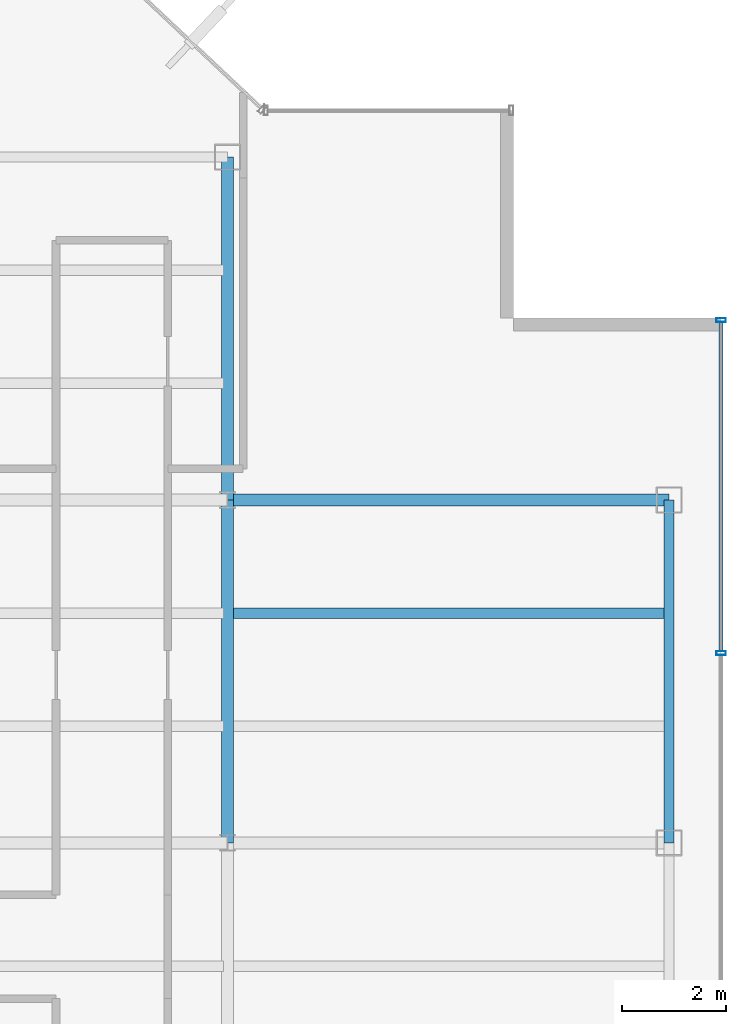
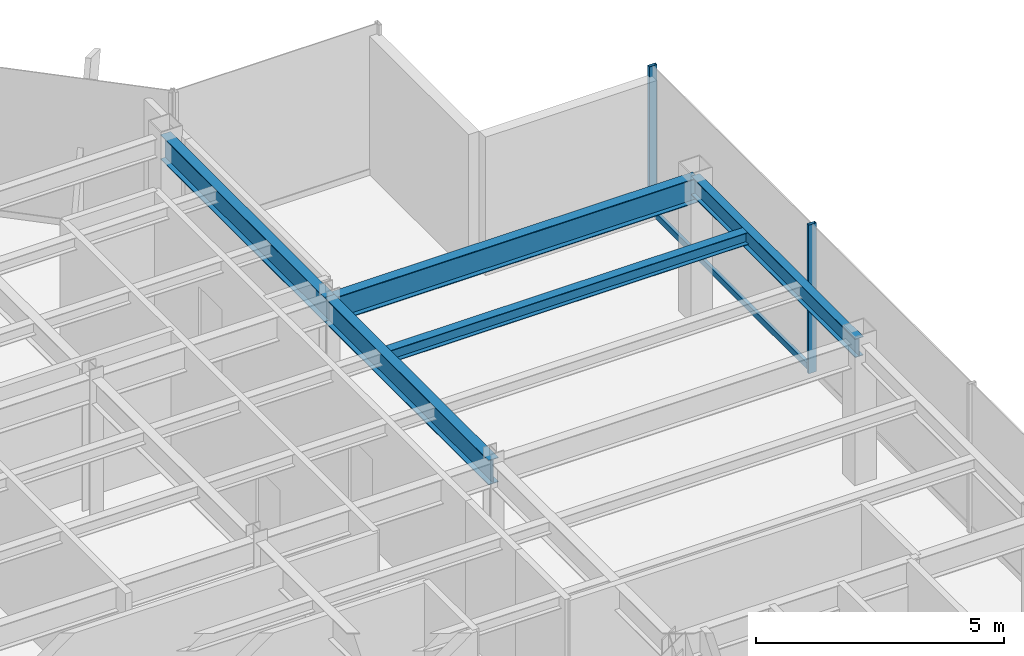
# One storey, part 11 of 22: 5 beams, 3 members, 1 element without a shape of its own.
"""IFC4 building model written with IfcOpenShell, lengths in metres."""

from ifc_helpers import new_model, si_unit, derived_unit, direction, frame, origin, origin_2d, place, context, subcontext, project, spatial, hollow_rectangle, i_section, extrude, source, transform, mapped, material, material_profile, profile_set, type_object, element, aggregate, save


model = new_model("IFC4")

# Units and contexts
model_context = context("Model", 3, precision=1e-05, world=origin(), true_north=direction((0.0, 1.0)))
body_context = subcontext(model_context, "Body", "Model", "MODEL_VIEW")
ifc_project = project(units=[si_unit("LENGTHUNIT", "METRE"), si_unit("AREAUNIT", "SQUARE_METRE"), si_unit("VOLUMEUNIT", "CUBIC_METRE"), si_unit("PLANEANGLEUNIT", "RADIAN"), si_unit("MASSUNIT", "GRAM", prefix="KILO"), derived_unit("THERMALTRANSMITTANCEUNIT", [(si_unit("POWERUNIT", "WATT"), 1), (si_unit("LENGTHUNIT", "METRE"), -2), (si_unit("THERMODYNAMICTEMPERATUREUNIT", "KELVIN"), -1)])], contexts=[model_context])

# Site, building, storey
site_placement = place(None, origin())
site = spatial("IfcSite", under=ifc_project, at=site_placement, CompositionType="ELEMENT")
building_placement = place(site_placement, origin())
building = spatial("IfcBuilding", under=site, at=building_placement, Name="Skarnbrae Concourse Arena and Tower", CompositionType="ELEMENT")
storey_placement = place(building_placement, frame((0.0, 0.0, 284.35009765625)))
storey = spatial("IfcBuildingStorey", under=building, at=storey_placement, Name="L74", CompositionType="ELEMENT", Elevation=284.35009765625)

# Beams
ifc_material_1 = material(Name="Steel CSA G40.21 350W", Category="steel")
ifc_material_profile_1 = material_profile(ifc_material_1, i_section(OverallWidth=0.22802734375, OverallDepth=0.60791015625, WebThickness=0.01123046875, FlangeThickness=0.017333984375, at=origin_2d()), Name="W610X113")
ifc_profile_set_1 = profile_set([ifc_material_profile_1], Name="Steel CSA G40.21 350W")
beam_type_1 = type_object("IfcBeamType", Name="BM-GIRD-W610X113", PredefinedType="BEAM", material=ifc_profile_set_1)
shared_shape_1 = source(origin(), body_context, "Body", "SweptSolid", [
    extrude(i_section(OverallWidth=0.22802734375, OverallDepth=0.60791015625, WebThickness=0.01123046875, FlangeThickness=0.017333984375, at=origin_2d()), origin(), (0.0, 0.0, 1.0), 6.60009765625),
])
beam_1_placement = place(storey_placement, frame((33.5, 21.199951171875, 3.095947265625), z_axis=(0.0, 1.0, 0.0), x_axis=(-1.0, 0.0, 0.0)))
element("IfcBeam", 1, at=beam_1_placement, inside=storey, type_object=beam_type_1, Name="L74 Primary N-S girder X33.5-2", PredefinedType="BEAM", context=body_context, shape_type="MappedRepresentation", body=[
    mapped(shared_shape_1, transform((0.0, 0.0, 0.0))),
])
shared_shape_2 = source(origin(), body_context, "Body", "SweptSolid", [
    extrude(i_section(OverallWidth=0.22802734375, OverallDepth=0.60791015625, WebThickness=0.01123046875, FlangeThickness=0.017333984375, at=origin_2d()), origin(), (0.0, 0.0, 1.0), 8.5),
])
beam_2_placement = place(storey_placement, frame((33.5, 27.800048828125, 3.095947265625), z_axis=(1.0, 0.0, 0.0), x_axis=(0.0, 1.0, 0.0)))
element("IfcBeam", 2, at=beam_2_placement, inside=storey, type_object=beam_type_1, Name="L74 Primary E-W girder Y27.8-6", PredefinedType="BEAM", context=body_context, shape_type="MappedRepresentation", body=[
    mapped(shared_shape_2, transform((0.0, 0.0, 0.0))),
])
ifc_material_profile_2 = material_profile(ifc_material_1, i_section(OverallWidth=0.19091796875, OverallDepth=0.4599609375, WebThickness=0.010009765625, FlangeThickness=0.01611328125, at=origin_2d()), Name="W460X82")
ifc_profile_set_2 = profile_set([ifc_material_profile_2], Name="Steel CSA G40.21 350W")
beam_type_2 = type_object("IfcBeamType", Name="BM-SPAN-W460X82", PredefinedType="SPANDREL", material=ifc_profile_set_2)
shared_shape_3 = source(origin(), body_context, "Body", "SweptSolid", [
    extrude(i_section(OverallWidth=0.19091796875, OverallDepth=0.4599609375, WebThickness=0.010009765625, FlangeThickness=0.01611328125, at=origin_2d()), origin(), (0.0, 0.0, 1.0), 6.60009765625),
])
beam_3_placement = place(storey_placement, frame((42.0, 21.199951171875, 3.169921875), z_axis=(0.0, 1.0, 0.0), x_axis=(-1.0, 0.0, 0.0)))
element("IfcBeam", 3, at=beam_3_placement, inside=storey, type_object=beam_type_2, Name="L74 Perimeter spandrel X42.0-3", PredefinedType="SPANDREL", context=body_context, shape_type="MappedRepresentation", body=[
    mapped(shared_shape_3, transform((0.0, 0.0, 0.0))),
])
shared_shape_4 = source(origin(), body_context, "Body", "SweptSolid", [
    extrude(i_section(OverallWidth=0.22802734375, OverallDepth=0.60791015625, WebThickness=0.01123046875, FlangeThickness=0.017333984375, at=origin_2d()), origin(), (0.0, 0.0, 1.0), 6.599853515625),
])
beam_4_placement = place(storey_placement, frame((33.5, 27.800048828125, 3.095947265625), z_axis=(0.0, 1.0, 0.0), x_axis=(-1.0, 0.0, 0.0)))
element("IfcBeam", 4, at=beam_4_placement, inside=storey, type_object=beam_type_1, Name="L74 Primary N-S girder X33.5-3", PredefinedType="BEAM", context=body_context, shape_type="MappedRepresentation", body=[
    mapped(shared_shape_4, transform((0.0, 0.0, 0.0))),
])
ifc_material_profile_3 = material_profile(ifc_material_1, i_section(OverallWidth=0.202880859375, OverallDepth=0.302978515625, WebThickness=0.007568359375, FlangeThickness=0.01318359375, at=origin_2d()), Name="W310X60")
ifc_profile_set_3 = profile_set([ifc_material_profile_3], Name="Steel CSA G40.21 350W")
beam_type_3 = type_object("IfcBeamType", Name="BM-JOIST-W310X60", PredefinedType="JOIST", material=ifc_profile_set_3)
shared_shape_5 = source(origin(), body_context, "Body", "SweptSolid", [
    extrude(i_section(OverallWidth=0.202880859375, OverallDepth=0.302978515625, WebThickness=0.007568359375, FlangeThickness=0.01318359375, at=origin_2d()), origin(), (0.0, 0.0, 1.0), 8.33984375),
])
beam_5_placement = place(storey_placement, frame((33.580078125, 25.6220703125, 3.248291015625), z_axis=(1.0, 0.0, 0.0), x_axis=(0.0, 1.0, 0.0)))
element("IfcBeam", 5, at=beam_5_placement, inside=storey, type_object=beam_type_3, Name="L74 Secondary floor joist 2.2.6", PredefinedType="JOIST", context=body_context, shape_type="MappedRepresentation", body=[
    mapped(shared_shape_5, transform((0.0, 0.0, 0.0))),
])

# Curtain wall, members
ifc_material_2 = material(Name="Bronze anodised aluminium 6063-T6", Category="aluminium")
curtain_wall_type = type_object("IfcCurtainWallType", Name="CW-SYS-05-HIGHZONE", PredefinedType="USERDEFINED", material=ifc_material_2)
curtain_wall_placement = place(storey_placement, origin())
curtain_wall = element("IfcCurtainWall", 6, at=curtain_wall_placement, inside=storey, type_object=curtain_wall_type, Name="L74 Unitised curtain wall CW-L74-E04", ObjectType="UNITISED CURTAIN WALL", PredefinedType="USERDEFINED")
ifc_material_profile_4 = material_profile(ifc_material_2, hollow_rectangle(XDim=0.074951171875, YDim=0.179931640625, WallThickness=0.00390625, at=origin_2d()), Name="ALU-MULL-75X180")
ifc_profile_set_4 = profile_set([ifc_material_profile_4], Name="Bronze anodised aluminium 6063-T6")
member_type_1 = type_object("IfcMemberType", Name="CWM-CW-05", PredefinedType="MULLION", material=ifc_profile_set_4)
shared_shape_6 = source(origin(), body_context, "Body", "SweptSolid", [
    extrude(hollow_rectangle(XDim=0.074951171875, YDim=0.179931640625, WallThickness=0.00390625, at=origin_2d()), origin(), (0.0, 0.0, 1.0), 3.64990234375),
])
member_1_placement = place(storey_placement, frame((43.0, 24.85009765625, 0.0), z_axis=(0.0, 0.0, 1.0), x_axis=(0.0, 1.0, 0.0)))
member_1 = element("IfcMember", 7, at=member_1_placement, type_object=member_type_1, Name="CW-L74-E04 Mullion 4", PredefinedType="MULLION", context=body_context, shape_type="MappedRepresentation", body=[
    mapped(shared_shape_6, transform((0.0, 0.0, 0.0))),
])
member_2_placement = place(storey_placement, frame((43.0, 31.262451171875, 0.0), z_axis=(0.0, 0.0, 1.0), x_axis=(0.0, 1.0, 0.0)))
member_2 = element("IfcMember", 8, at=member_2_placement, type_object=member_type_1, Name="CW-L74-E04 Mullion 5", PredefinedType="MULLION", context=body_context, shape_type="MappedRepresentation", body=[
    mapped(shared_shape_6, transform((0.0, 0.0, 0.0))),
])
ifc_material_profile_5 = material_profile(ifc_material_2, hollow_rectangle(XDim=0.074951171875, YDim=0.14990234375, WallThickness=0.00390625, at=origin_2d()), Name="ALU-TRAN-75X150")
ifc_profile_set_5 = profile_set([ifc_material_profile_5], Name="Bronze anodised aluminium 6063-T6")
member_type_2 = type_object("IfcMemberType", Name="CWT-CW-05", PredefinedType="USERDEFINED", material=ifc_profile_set_5)
shared_shape_7 = source(origin(), body_context, "Body", "SweptSolid", [
    extrude(hollow_rectangle(XDim=0.074951171875, YDim=0.14990234375, WallThickness=0.00390625, at=origin_2d()), origin(), (0.0, 0.0, 1.0), 6.337646484375),
])
member_3_placement = place(storey_placement, frame((43.0, 24.887451171875, 0.074951171875), z_axis=(0.0, 1.0, 0.0), x_axis=(-1.0, 0.0, 0.0)))
member_3 = element("IfcMember", 9, at=member_3_placement, type_object=member_type_2, Name="CW-L74-E04 Transom 4", ObjectType="TRANSOM", PredefinedType="USERDEFINED", context=body_context, shape_type="MappedRepresentation", body=[
    mapped(shared_shape_7, transform((0.0, 0.0, 0.0))),
])
aggregate(curtain_wall, [member_1, member_2, member_3])

save(model, "model.ifc")
